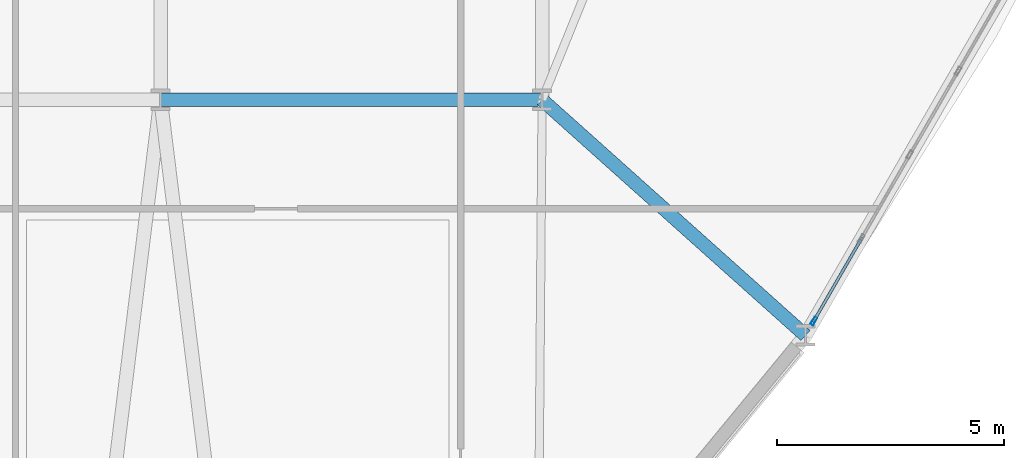
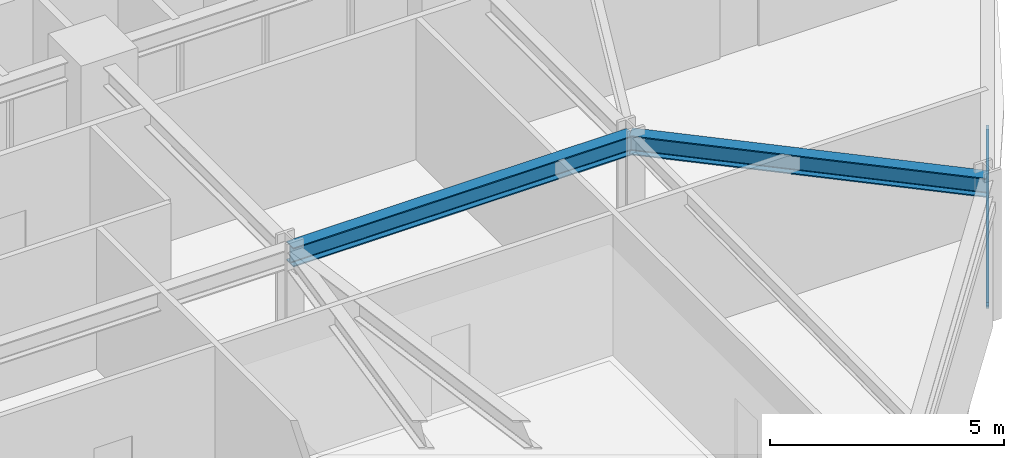
# One storey, part 6 of 22: 4 members, 2 beams, 1 element without a shape of its own.
"""IFC4 building model written with IfcOpenShell, lengths in metres."""

from ifc_helpers import new_model, si_unit, derived_unit, direction, frame, origin, origin_2d, place, context, subcontext, project, spatial, hollow_rectangle, i_section, extrude, source, transform, mapped, material, layer, layer_set, material_profile, profile_set, type_object, element, aggregate, save


model = new_model("IFC4")

# Units and contexts
model_context = context("Model", 3, precision=1e-05, world=origin(), true_north=direction((0.0, 1.0)))
body_context = subcontext(model_context, "Body", "Model", "MODEL_VIEW")
ifc_project = project(units=[si_unit("LENGTHUNIT", "METRE"), si_unit("AREAUNIT", "SQUARE_METRE"), si_unit("VOLUMEUNIT", "CUBIC_METRE"), si_unit("PLANEANGLEUNIT", "RADIAN"), si_unit("MASSUNIT", "GRAM", prefix="KILO"), derived_unit("THERMALTRANSMITTANCEUNIT", [(si_unit("POWERUNIT", "WATT"), 1), (si_unit("LENGTHUNIT", "METRE"), -2), (si_unit("THERMODYNAMICTEMPERATUREUNIT", "KELVIN"), -1)])], contexts=[model_context])

# Site, building, storey
site_placement = place(None, origin())
site = spatial("IfcSite", under=ifc_project, at=site_placement, CompositionType="ELEMENT")
building_placement = place(site_placement, origin())
building = spatial("IfcBuilding", under=site, at=building_placement, Name="Korsvarv Bourse and Concert Hall", CompositionType="ELEMENT")
storey_placement = place(building_placement, frame((0.0, 0.0, 47.39990234375)))
storey = spatial("IfcBuildingStorey", under=building, at=storey_placement, Name="L11", CompositionType="ELEMENT", Elevation=47.39990234375)

# Beams
ifc_material_1 = material(Name="Steel S355", Category="steel")
ifc_material_profile_1 = material_profile(ifc_material_1, i_section(OverallWidth=0.300048828125, OverallDepth=0.5, WebThickness=0.014404296875, FlangeThickness=0.028076171875, FilletRadius=0.02392578125, at=origin_2d()), Name="HEB 500")
ifc_profile_set_1 = profile_set([ifc_material_profile_1], Name="Steel S355")
beam_type = type_object("IfcBeamType", Name="BM-HEB500", PredefinedType="BEAM", material=ifc_profile_set_1)
shared_shape_1 = source(origin(), body_context, "Body", "SweptSolid", [
    extrude(i_section(OverallWidth=0.300048828125, OverallDepth=0.5, WebThickness=0.014404296875, FlangeThickness=0.028076171875, FilletRadius=0.02392578125, at=origin_2d()), origin(), (0.0, 0.0, 1.0), 8.39990234375),
])
beam_1_placement = place(storey_placement, frame((36.0, 24.0, 3.43017578125), z_axis=(1.0, 0.0, 0.0), x_axis=(0.0, 1.0, 0.0)))
element("IfcBeam", 1, at=beam_1_placement, inside=storey, type_object=beam_type, Name="L11 beam B-07", PredefinedType="BEAM", context=body_context, shape_type="MappedRepresentation", body=[
    mapped(shared_shape_1, transform((0.0, 0.0, 0.0), scale=1.0)),
])
shared_shape_2 = source(origin(), body_context, "Body", "SweptSolid", [
    extrude(i_section(OverallWidth=0.300048828125, OverallDepth=0.5, WebThickness=0.014404296875, FlangeThickness=0.028076171875, FilletRadius=0.02392578125, at=origin_2d()), origin(), (0.0, 0.0, 1.0), 7.77978515625),
])
beam_2_placement = place(storey_placement, frame((50.198486328125, 18.8134765625, 3.43017578125), z_axis=(-0.745348822667, 0.666674682697, 0.0), x_axis=(-0.666674682697, -0.745348822667, 0.0)))
element("IfcBeam", 2, at=beam_2_placement, inside=storey, type_object=beam_type, Name="L11 beam B-07", PredefinedType="BEAM", context=body_context, shape_type="MappedRepresentation", body=[
    mapped(shared_shape_2, transform((0.0, 0.0, 0.0), scale=1.0)),
])

# Curtain wall, members
ifc_material_2 = material(Name="Anodised aluminium and triple low-E glazing", Category="glass")
ifc_layer = layer(ifc_material_2, 0.219970703125)
ifc_layer_set = layer_set([ifc_layer], Name="Anodised aluminium and triple low-E glazing")
curtain_wall_type = type_object("IfcCurtainWallType", Name="CW-SYS-1", PredefinedType="NOTDEFINED", material=ifc_layer_set)
curtain_wall_placement = place(storey_placement, origin())
curtain_wall = element("IfcCurtainWall", 3, at=curtain_wall_placement, inside=storey, type_object=curtain_wall_type, Name="L11 CW1 curtain wall CW-L11-F11", PredefinedType="NOTDEFINED")
ifc_material_3 = material(Name="Extruded aluminium EN AW-6063 T66", Category="aluminium")
ifc_material_profile_2 = material_profile(ifc_material_3, hollow_rectangle(XDim=0.070068359375, YDim=0.18994140625, WallThickness=0.0048828125, at=origin_2d()), Name="ALU-M 70x190")
ifc_profile_set_2 = profile_set([ifc_material_profile_2], Name="Extruded aluminium EN AW-6063 T66")
member_type_1 = type_object("IfcMemberType", Name="CWM-190", PredefinedType="MULLION", material=ifc_profile_set_2)
shared_shape_3 = source(origin(), body_context, "Body", "SweptSolid", [
    extrude(hollow_rectangle(XDim=0.070068359375, YDim=0.18994140625, WallThickness=0.0048828125, at=origin_2d()), origin(), (0.0, 0.0, 1.0), 3.22998046875),
])
member_1_placement = place(storey_placement, frame((50.381591796875, 19.130859375, 0.0), z_axis=(0.0, 0.0, 1.0), x_axis=(-0.866025499647, 0.499999833962, 0.0)))
member_1 = element("IfcMember", 4, at=member_1_placement, type_object=member_type_1, Name="CW1 mullion 1", PredefinedType="MULLION", context=body_context, shape_type="MappedRepresentation", body=[
    mapped(shared_shape_3, transform((0.0, 0.0, 0.0), scale=1.0)),
])
ifc_material_profile_3 = material_profile(ifc_material_3, hollow_rectangle(XDim=0.06494140625, YDim=0.1650390625, WallThickness=0.0048828125, at=origin_2d()), Name="ALU-M 65x165")
ifc_profile_set_3 = profile_set([ifc_material_profile_3], Name="Extruded aluminium EN AW-6063 T66")
member_type_2 = type_object("IfcMemberType", Name="CWM-165", PredefinedType="MULLION", material=ifc_profile_set_3)
shared_shape_4 = source(origin(), body_context, "Body", "SweptSolid", [
    extrude(hollow_rectangle(XDim=0.06494140625, YDim=0.1650390625, WallThickness=0.0048828125, at=origin_2d()), origin(), (0.0, 0.0, 1.0), 3.702392578125),
])
member_2_placement = place(storey_placement, frame((50.399169921875, 19.1611328125, 0.065185546875), z_axis=(0.273397042853, 0.473532118843, 0.837270200941), x_axis=(-0.866022911947, 0.500004315964, 0.0)))
member_2 = element("IfcMember", 5, at=member_2_placement, type_object=member_type_2, Name="CW1 diagonal mullion 1", PredefinedType="MULLION", context=body_context, shape_type="MappedRepresentation", body=[
    mapped(shared_shape_4, transform((0.0, 0.0, 0.0), scale=1.0)),
])
ifc_material_profile_4 = material_profile(ifc_material_3, hollow_rectangle(XDim=0.06494140625, YDim=0.139892578125, WallThickness=0.00390625, at=origin_2d()), Name="ALU-T 65x140")
ifc_profile_set_4 = profile_set([ifc_material_profile_4], Name="Extruded aluminium EN AW-6063 T66")
member_type_3 = type_object("IfcMemberType", Name="CWT-140", PredefinedType="USERDEFINED", material=ifc_profile_set_4)
shared_shape_5 = source(origin(), body_context, "Body", "SweptSolid", [
    extrude(hollow_rectangle(XDim=0.06494140625, YDim=0.139892578125, WallThickness=0.00390625, at=origin_2d()), origin(), (0.0, 0.0, 1.0), 2.0244140625),
])
member_3_placement = place(storey_placement, frame((50.399169921875, 19.1611328125, 0.03271484375), z_axis=(0.500004315964, 0.866022911947, 0.0), x_axis=(-0.866022911947, 0.500004315964, 0.0)))
member_3 = element("IfcMember", 6, at=member_3_placement, type_object=member_type_3, Name="CW1 transom 1.1", ObjectType="TRANSOM", PredefinedType="USERDEFINED", context=body_context, shape_type="MappedRepresentation", body=[
    mapped(shared_shape_5, transform((0.0, 0.0, 0.0), scale=1.0)),
])
member_4_placement = place(storey_placement, frame((50.399169921875, 19.1611328125, 3.197509765625), z_axis=(0.500004315964, 0.866022911947, 0.0), x_axis=(-0.866022911947, 0.500004315964, 0.0)))
member_4 = element("IfcMember", 7, at=member_4_placement, type_object=member_type_3, Name="CW1 transom 1.2", ObjectType="TRANSOM", PredefinedType="USERDEFINED", context=body_context, shape_type="MappedRepresentation", body=[
    mapped(shared_shape_5, transform((0.0, 0.0, 0.0), scale=1.0)),
])
aggregate(curtain_wall, [member_1, member_3, member_4, member_2])

save(model, "model.ifc")
